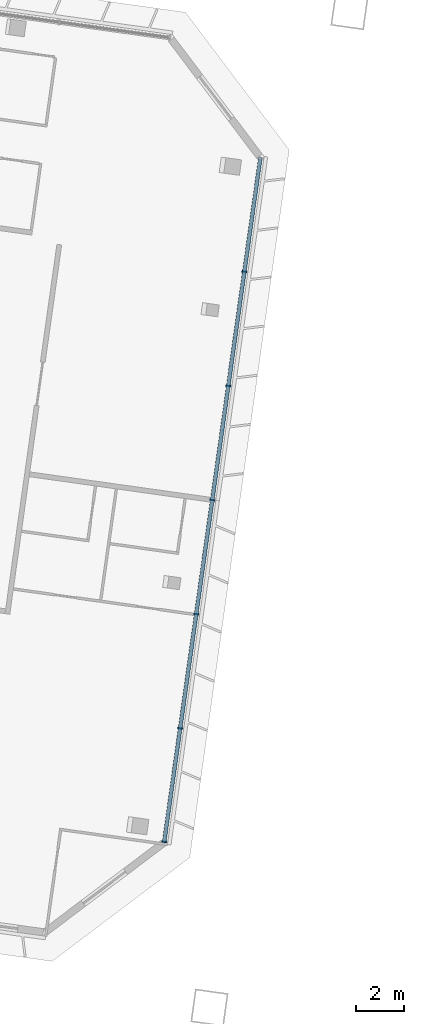
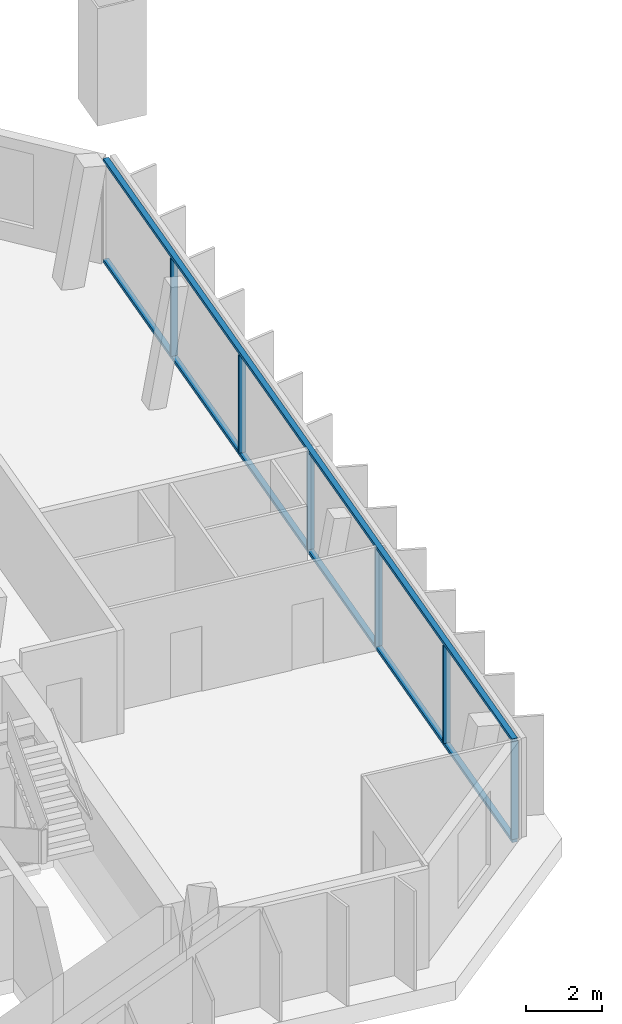
# One storey, part 3 of 20: 8 members, 1 element without a shape of its own.
"""IFC4 building model written with IfcOpenShell, lengths in metres."""

from ifc_helpers import new_model, si_unit, direction, frame, origin, origin_2d, place, context, subcontext, project, spatial, rectangle, extrude, material, material_profile, profile_set, type_object, element, aggregate, save


model = new_model("IFC4")

# Units and contexts
model_context = context("Model", 3, precision=1e-05, world=origin(), true_north=direction((0.0, 1.0)))
body_context = subcontext(model_context, "Body", "Model", "MODEL_VIEW")
ifc_project = project(units=[si_unit("LENGTHUNIT", "METRE"), si_unit("AREAUNIT", "SQUARE_METRE"), si_unit("VOLUMEUNIT", "CUBIC_METRE"), si_unit("PLANEANGLEUNIT", "RADIAN"), si_unit("MASSUNIT", "GRAM", prefix="KILO")], contexts=[model_context])

# Site, building, storey
site_placement = place(None, origin())
site = spatial("IfcSite", under=ifc_project, at=site_placement, CompositionType="ELEMENT")
building_placement = place(site_placement, origin())
building = spatial("IfcBuilding", under=site, at=building_placement, Name="Mirante Cascada Hotel Towers", CompositionType="ELEMENT")
storey_placement = place(building_placement, frame((0.0, 0.0, 224.2)))
storey = spatial("IfcBuildingStorey", under=building, at=storey_placement, Name="L53", CompositionType="ELEMENT", Elevation=224.2)

# Curtain wall, members
ifc_material_1 = material(Name="Aluminium mullion and transom frame with clear laminated glass", Category="aluminium")
curtain_wall_type = type_object("IfcCurtainWallType", Name="End ribbon curtain wall ECW2", PredefinedType="NOTDEFINED", material=ifc_material_1)
curtain_wall_placement = place(storey_placement, origin())
curtain_wall = element("IfcCurtainWall", 1, at=curtain_wall_placement, inside=storey, type_object=curtain_wall_type, Name="Inner end wall T1 L53", PredefinedType="NOTDEFINED")
ifc_material_2 = material(Name="Anodised aluminium extrusion", Category="aluminium")
ifc_material_profile_1 = material_profile(ifc_material_2, rectangle(XDim=0.2, YDim=0.065, at=origin_2d()), Name="ECW2 MULLION 65x200")
ifc_profile_set_1 = profile_set([ifc_material_profile_1], Name="Anodised aluminium extrusion")
member_type_1 = type_object("IfcMemberType", Name="ECW2 mullion 65x200", PredefinedType="MULLION", material=ifc_profile_set_1)
member_1_placement = place(storey_placement, frame((-22.6158, 6.6821, 0.1), z_axis=(0.0, 0.0, 1.0), x_axis=(0.9902681, -0.1391731, 0.0)))
member_1 = element("IfcMember", 2, at=member_1_placement, type_object=member_type_1, Name="ECW2 mullion 2", PredefinedType="MULLION", context=body_context, shape_type="SweptSolid", body=[
    extrude(rectangle(XDim=0.2, YDim=0.065, at=origin_2d()), origin(), (0.0, 0.0, 1.0), 3.15),
])
member_2_placement = place(storey_placement, frame((-23.2856, 1.9163, 0.1), z_axis=(0.0, 0.0, 1.0), x_axis=(0.9902681, -0.1391731, 0.0)))
member_2 = element("IfcMember", 3, at=member_2_placement, type_object=member_type_1, Name="ECW2 mullion 3", PredefinedType="MULLION", context=body_context, shape_type="SweptSolid", body=[
    extrude(rectangle(XDim=0.2, YDim=0.065, at=origin_2d()), origin(), (0.0, 0.0, 1.0), 3.15),
])
member_3_placement = place(storey_placement, frame((-23.9554, -2.8495, 0.1), z_axis=(0.0, 0.0, 1.0), x_axis=(0.9902681, -0.1391731, 0.0)))
member_3 = element("IfcMember", 4, at=member_3_placement, type_object=member_type_1, Name="ECW2 mullion 4", PredefinedType="MULLION", context=body_context, shape_type="SweptSolid", body=[
    extrude(rectangle(XDim=0.2, YDim=0.065, at=origin_2d()), origin(), (0.0, 0.0, 1.0), 3.15),
])
member_4_placement = place(storey_placement, frame((-24.6252, -7.6153, 0.1), z_axis=(0.0, 0.0, 1.0), x_axis=(0.9902681, -0.1391731, 0.0)))
member_4 = element("IfcMember", 5, at=member_4_placement, type_object=member_type_1, Name="ECW2 mullion 5", PredefinedType="MULLION", context=body_context, shape_type="SweptSolid", body=[
    extrude(rectangle(XDim=0.2, YDim=0.065, at=origin_2d()), origin(), (0.0, 0.0, 1.0), 3.15),
])
member_5_placement = place(storey_placement, frame((-25.295, -12.3811, 0.1), z_axis=(0.0, 0.0, 1.0), x_axis=(0.9902681, -0.1391731, 0.0)))
member_5 = element("IfcMember", 6, at=member_5_placement, type_object=member_type_1, Name="ECW2 mullion 6", PredefinedType="MULLION", context=body_context, shape_type="SweptSolid", body=[
    extrude(rectangle(XDim=0.2, YDim=0.065, at=origin_2d()), origin(), (0.0, 0.0, 1.0), 3.15),
])
member_6_placement = place(storey_placement, frame((-25.9602, -17.1147, 0.1), z_axis=(0.0, 0.0, 1.0), x_axis=(0.9902681, -0.1391731, 0.0)))
member_6 = element("IfcMember", 7, at=member_6_placement, type_object=member_type_1, Name="ECW2 mullion 7", PredefinedType="MULLION", context=body_context, shape_type="SweptSolid", body=[
    extrude(rectangle(XDim=0.2, YDim=0.065, at=origin_2d()), origin(), (0.0, 0.0, 1.0), 3.15),
])
ifc_material_3 = material(Name="Anodised aluminium extrusion", Category="aluminium")
ifc_material_profile_2 = material_profile(ifc_material_3, rectangle(XDim=0.16, YDim=0.1, at=origin_2d()), Name="ECW2 TRANSOM 100x160")
ifc_profile_set_2 = profile_set([ifc_material_profile_2], Name="Anodised aluminium extrusion")
member_type_2 = type_object("IfcMemberType", Name="ECW2 transom 100x160", PredefinedType="USERDEFINED", material=ifc_profile_set_2)
member_7_placement = place(storey_placement, frame((-21.946, 11.4478, 0.05), z_axis=(-0.1391757, -0.9902677, 0.0), x_axis=(0.9902677, -0.1391757, 0.0)))
member_7 = element("IfcMember", 8, at=member_7_placement, type_object=member_type_2, Name="ECW2 sill transom", ObjectType="TRANSOM", PredefinedType="USERDEFINED", context=body_context, shape_type="SweptSolid", body=[
    extrude(rectangle(XDim=0.16, YDim=0.1, at=origin_2d()), origin(), (0.0, 0.0, 1.0), 28.8757),
])
member_8_placement = place(storey_placement, frame((-21.946, 11.4478, 3.3), z_axis=(-0.1391757, -0.9902677, 0.0), x_axis=(0.9902677, -0.1391757, 0.0)))
member_8 = element("IfcMember", 9, at=member_8_placement, type_object=member_type_2, Name="ECW2 head transom", ObjectType="TRANSOM", PredefinedType="USERDEFINED", context=body_context, shape_type="SweptSolid", body=[
    extrude(rectangle(XDim=0.16, YDim=0.1, at=origin_2d()), origin(), (0.0, 0.0, 1.0), 28.8757),
])
aggregate(curtain_wall, [member_7, member_8, member_1, member_2, member_3, member_4, member_5, member_6])

save(model, "model.ifc")
